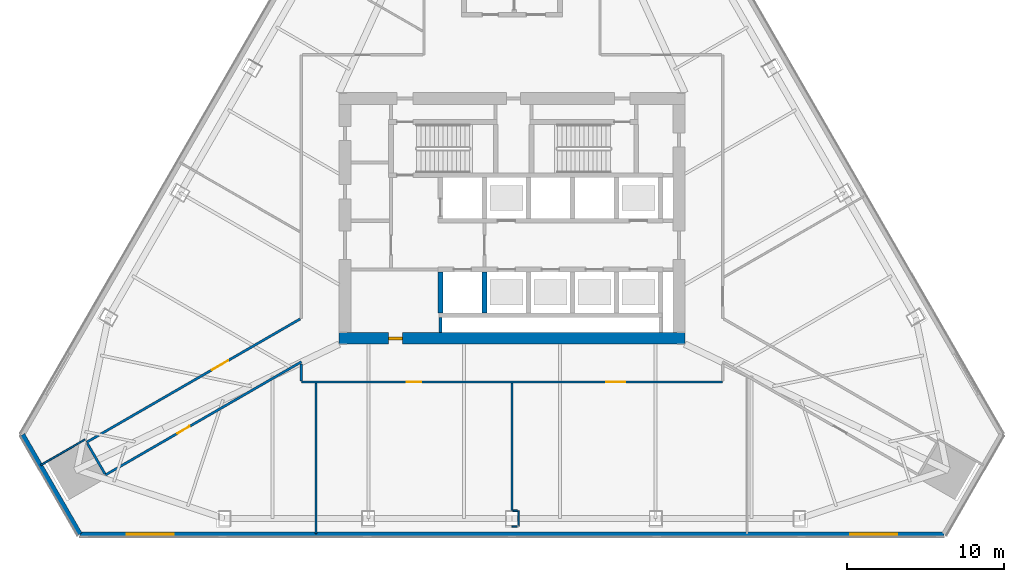
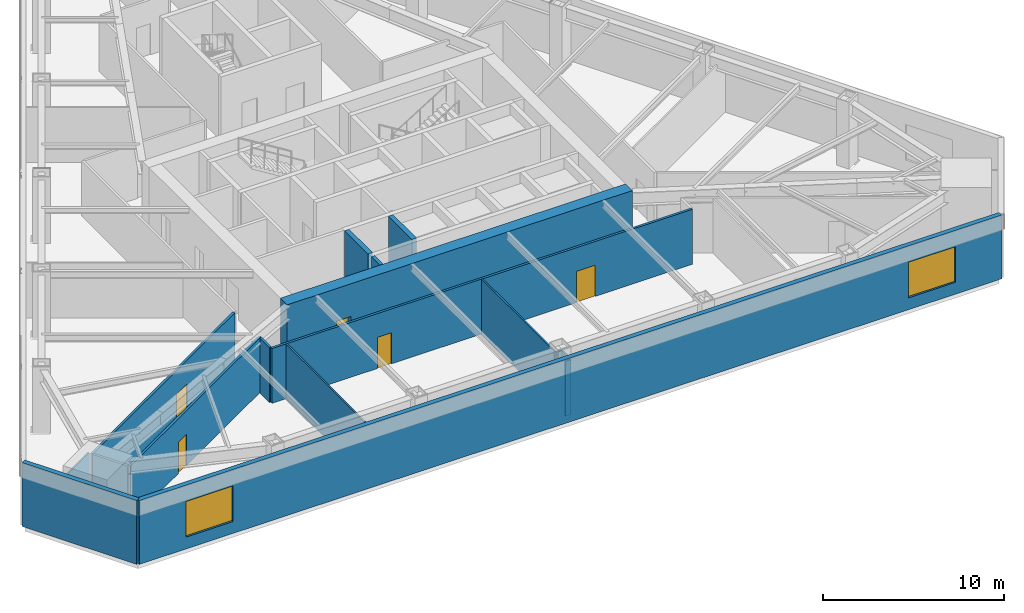
# One storey, part 5 of 14: 17 walls, 5 doors, 2 windows, 7 openings.
"""IFC4 building model written with IfcOpenShell, lengths in metres."""

from ifc_helpers import new_model, si_unit, direction, frame, frame_2d, origin, place, context, subcontext, project, spatial, rectangle, extrude, material, layer, layer_set, type_object, element, fill, save


model = new_model("IFC4")

# Units and contexts
model_context = context("Model", 3, precision=1e-05, world=origin(), true_north=direction((0.0, 1.0)))
body_context = subcontext(model_context, "Body", "Model", "MODEL_VIEW")
ifc_project = project(units=[si_unit("LENGTHUNIT", "METRE"), si_unit("AREAUNIT", "SQUARE_METRE"), si_unit("VOLUMEUNIT", "CUBIC_METRE"), si_unit("PLANEANGLEUNIT", "RADIAN"), si_unit("MASSUNIT", "GRAM", prefix="KILO")], contexts=[model_context])

# Site, building, storey
site_placement = place(None, origin())
site = spatial("IfcSite", under=ifc_project, at=site_placement, CompositionType="ELEMENT")
building_placement = place(site_placement, origin())
building = spatial("IfcBuilding", under=site, at=building_placement, Name="Firuza Gate Tower and Library", CompositionType="ELEMENT")
storey_placement = place(building_placement, frame((0.0, 0.0, 151.300048828125)))
storey = spatial("IfcBuildingStorey", under=building, at=storey_placement, Name="L34", CompositionType="ELEMENT", Elevation=151.300048828125)

# Walls
ifc_material_1 = material(Name="Plasterboard on steel studs", Category="steel")
ifc_layer_1 = layer(ifc_material_1, 0.199951171875)
ifc_layer_set_1 = layer_set([ifc_layer_1], Name="Core partition 200 EI 120")
wall_type_1 = type_object("IfcWallType", Name="Core partition 200 EI 120", PredefinedType="PARTITIONING", material=ifc_layer_set_1)
wall_1_placement = place(storey_placement, frame((70.449951171875, 67.75, 0.0), z_axis=(0.0, 0.0, 1.0), x_axis=(0.0, 1.0, 0.0)))
element("IfcWall", 1, at=wall_1_placement, inside=storey, type_object=wall_type_1, Name="Core partition L34 9", PredefinedType="PARTITIONING", context=body_context, shape_type="SweptSolid", body=[
    extrude(rectangle(XDim=0.949951171875, YDim=0.199951171875, at=frame_2d((0.47509765625, 0.0))), origin(), (0.0, 0.0, 1.0), 4.300048828125),
])
ifc_material_2 = material(Name="Concrete C80/95", Category="concrete")
ifc_layer_2 = layer(ifc_material_2, 0.300048828125)
ifc_layer_set_2 = layer_set([ifc_layer_2], Name="Core wall 300 C80/95")
wall_type_2 = type_object("IfcWallType", Name="Core wall 300 C80/95", PredefinedType="SHEAR", material=ifc_layer_set_2)
for number, where, z_axis, x_axis, name in (
    (2, (70.449951171875, 69.0, 0.0), (0.0, 0.0, 1.0), (0.0, 1.0, 0.0), "Core wall L34 8"),
    (3, (73.25, 69.0, 0.0), (0.0, 0.0, 1.0), (0.0, 1.0, 0.0), "Core wall L34 10"),
):
    element("IfcWall", number, at=place(storey_placement, frame(where, z_axis=z_axis, x_axis=x_axis)), inside=storey, type_object=wall_type_2, Name=name, PredefinedType="SHEAR", context=body_context, shape_type="SweptSolid", body=[
        extrude(rectangle(XDim=2.60009765625, YDim=0.300048828125, at=frame_2d((1.300048828125, 0.0))), origin(), (0.0, 0.0, 1.0), 4.300048828125),
    ])

# Wall, opening, door
ifc_material_3 = material(Name="Concrete C80/95", Category="concrete")
ifc_layer_3 = layer(ifc_material_3, 0.75)
ifc_layer_set_3 = layer_set([ifc_layer_3], Name="Core wall 750 C80/95")
wall_type_3 = type_object("IfcWallType", Name="Core wall 750 C80/95", PredefinedType="SHEAR", material=ifc_layer_set_3)
wall_2_placement = place(storey_placement, frame((64.0, 67.375, 0.0), z_axis=(0.0, 0.0, 1.0), x_axis=(1.0, 0.0, 0.0)))
wall_2 = element("IfcWall", 4, at=wall_2_placement, inside=storey, type_object=wall_type_3, Name="Core wall L34 1", PredefinedType="SHEAR", context=body_context, shape_type="SweptSolid", body=[
    extrude(rectangle(XDim=22.0, YDim=0.75, at=frame_2d((11.0, 0.0))), origin(), (0.0, 0.0, 1.0), 4.300048828125),
])
opening_1_placement = place(wall_2_placement, frame((3.14990234375, 0.0, 0.0)))
opening_1 = element("IfcOpeningElement", 5, at=opening_1_placement, cuts=wall_2, Name="Opening L34-K22", PredefinedType="OPENING", context=body_context, shape_type="SweptSolid", body=[
    extrude(rectangle(XDim=0.89990234375, YDim=2.10009765625, at=frame_2d((0.449951171875, 1.050048828125))), frame((0.0, 0.385009765625, 0.0), z_axis=(0.0, -1.0, 0.0), x_axis=(1.0, 0.0, 0.0)), (0.0, 0.0, 1.0), 0.77001953125),
])
ifc_material_4 = material(Name="Steel", Category="steel")
door_type_1 = type_object("IfcDoorType", Name="Fire door 900x2100 FD30S", OperationType="NOTDEFINED", PredefinedType="DOOR", material=ifc_material_4)
door_1_placement = place(opening_1_placement, origin())
door_1 = element("IfcDoor", 6, at=door_1_placement, inside=storey, type_object=door_type_1, Name="Door L34-K22", OperationType="SINGLE_SWING_LEFT", OverallHeight=2.10009765625, OverallWidth=0.89990234375, PredefinedType="DOOR", context=body_context, shape_type="SweptSolid", body=[
    extrude(rectangle(XDim=0.89990234375, YDim=2.10009765625, at=frame_2d((0.449951171875, 1.050048828125))), frame((0.0, 0.094970703125, 0.0), z_axis=(0.0, -1.0, 0.0), x_axis=(1.0, 0.0, 0.0)), (0.0, 0.0, 1.0), 0.18994140625),
])
fill(opening_1, door_1)

# Wall, openings, doors
ifc_material_5 = material(Name="Gypsum board partition")
ifc_layer_4 = layer(ifc_material_5, 0.14990234375)
ifc_layer_set_4 = layer_set([ifc_layer_4], Name="Corridor wall 150 double board on steel studs")
wall_type_4 = type_object("IfcWallType", Name="Corridor wall 150 double board on steel studs", PredefinedType="PARTITIONING", material=ifc_layer_set_4)
wall_3_placement = place(storey_placement, frame((88.3994140625, 64.60009765625, 0.0), z_axis=(0.0, 0.0, 1.0), x_axis=(-1.0, 0.0, 0.0)))
wall_3 = element("IfcWall", 7, at=wall_3_placement, inside=storey, type_object=wall_type_4, Name="f:L34:w002", PredefinedType="PARTITIONING", context=body_context, shape_type="SweptSolid", body=[
    extrude(rectangle(XDim=26.798828125, YDim=0.14990234375, at=frame_2d((13.3994140625, 0.0))), origin(), (0.0, 0.0, 1.0), 3.699951171875),
])
opening_2_placement = place(wall_3_placement, frame((6.201171875, 0.0, 0.0)))
opening_2 = element("IfcOpeningElement", 8, at=opening_2_placement, cuts=wall_3, Name="Opening L34-01", PredefinedType="OPENING", context=body_context, shape_type="SweptSolid", body=[
    extrude(rectangle(XDim=1.199951171875, YDim=2.10009765625, at=frame_2d((0.60009765625, 1.050048828125))), frame((0.0, 0.0849609375, 0.0), z_axis=(0.0, -1.0, 0.0), x_axis=(1.0, 0.0, 0.0)), (0.0, 0.0, 1.0), 0.169921875),
])
opening_3_placement = place(wall_3_placement, frame((19.182373046875, 0.0, 0.0)))
opening_3 = element("IfcOpeningElement", 9, at=opening_3_placement, cuts=wall_3, Name="Opening L34-02", PredefinedType="OPENING", context=body_context, shape_type="SweptSolid", body=[
    extrude(rectangle(XDim=0.89990234375, YDim=2.10009765625, at=frame_2d((0.449951171875, 1.050048828125))), frame((0.0, 0.0849609375, 0.0), z_axis=(0.0, -1.0, 0.0), x_axis=(1.0, 0.0, 0.0)), (0.0, 0.0, 1.0), 0.169921875),
])
ifc_material_6 = material(Name="Steel door and timber leaf", Category="steel")
door_type_2 = type_object("IfcDoorType", Name="Fire door 1200 x 2100 steel frame, double leaf", OperationType="NOTDEFINED", PredefinedType="DOOR", material=ifc_material_6)
door_2_placement = place(opening_2_placement, origin())
door_2 = element("IfcDoor", 10, at=door_2_placement, inside=storey, type_object=door_type_2, Name="f:L34:d001", OperationType="DOUBLE_DOOR_SINGLE_SWING", OverallHeight=2.10009765625, OverallWidth=1.199951171875, PredefinedType="DOOR", context=body_context, shape_type="SweptSolid", body=[
    extrude(rectangle(XDim=1.199951171875, YDim=2.10009765625, at=frame_2d((0.60009765625, 1.050048828125))), frame((0.0, 0.02490234375, 0.0), z_axis=(0.0, -1.0, 0.0), x_axis=(1.0, 0.0, 0.0)), (0.0, 0.0, 1.0), 0.050048828125),
])
fill(opening_2, door_2)
ifc_material_7 = material(Name="Steel door and timber leaf", Category="steel")
door_type_3 = type_object("IfcDoorType", Name="Fire door 900 x 2100 steel frame, timber leaf", OperationType="NOTDEFINED", PredefinedType="DOOR", material=ifc_material_7)
door_3_placement = place(opening_3_placement, origin())
door_3 = element("IfcDoor", 11, at=door_3_placement, inside=storey, type_object=door_type_3, Name="f:L34:d002", OperationType="SINGLE_SWING_LEFT", OverallHeight=2.10009765625, OverallWidth=0.89990234375, PredefinedType="DOOR", context=body_context, shape_type="SweptSolid", body=[
    extrude(rectangle(XDim=0.89990234375, YDim=2.10009765625, at=frame_2d((0.449951171875, 1.050048828125))), frame((0.0, 0.02490234375, 0.0), z_axis=(0.0, -1.0, 0.0), x_axis=(1.0, 0.0, 0.0)), (0.0, 0.0, 1.0), 0.050048828125),
])
fill(opening_3, door_3)

# Wall, opening, door
wall_4_placement = place(storey_placement, frame((61.599853515625, 65.8779296875, 0.0), z_axis=(0.0, 0.0, 1.0), x_axis=(-0.866021599452, -0.500006589238, 0.0)))
wall_4 = element("IfcWall", 12, at=wall_4_placement, inside=storey, type_object=wall_type_4, Name="f:L34:w009", PredefinedType="PARTITIONING", context=body_context, shape_type="SweptSolid", body=[
    extrude(rectangle(XDim=14.379638671875, YDim=0.14990234375, at=frame_2d((7.18994140625, 0.0))), origin(), (0.0, 0.0, 1.0), 3.699951171875),
])
opening_4_placement = place(wall_4_placement, frame((8.199951171875, 0.0, 0.0)))
opening_4 = element("IfcOpeningElement", 13, at=opening_4_placement, cuts=wall_4, Name="Opening L34-07", PredefinedType="OPENING", context=body_context, shape_type="SweptSolid", body=[
    extrude(rectangle(XDim=0.89990234375, YDim=2.10009765625, at=frame_2d((0.449951171875, 1.050048828125))), frame((0.0, 0.0849609375, 0.0), z_axis=(0.0, -1.0, 0.0), x_axis=(1.0, 0.0, 0.0)), (0.0, 0.0, 1.0), 0.169921875),
])
door_4_placement = place(opening_4_placement, origin())
door_4 = element("IfcDoor", 14, at=door_4_placement, inside=storey, type_object=door_type_3, Name="f:L34:d007", OperationType="SINGLE_SWING_RIGHT", OverallHeight=2.10009765625, OverallWidth=0.89990234375, PredefinedType="DOOR", context=body_context, shape_type="SweptSolid", body=[
    extrude(rectangle(XDim=0.89990234375, YDim=2.10009765625, at=frame_2d((0.449951171875, 1.050048828125))), frame((0.0, 0.02490234375, 0.0), z_axis=(0.0, -1.0, 0.0), x_axis=(1.0, 0.0, 0.0)), (0.0, 0.0, 1.0), 0.050048828125),
])
fill(opening_4, door_4)

wall_5_placement = place(storey_placement, frame((47.9462890625, 60.766357421875, 0.0), z_axis=(0.0, 0.0, 1.0), x_axis=(0.866025857359, 0.499999214385, 0.0)))
wall_5 = element("IfcWall", 15, at=wall_5_placement, inside=storey, type_object=wall_type_4, Name="f:L34:w010", PredefinedType="PARTITIONING", context=body_context, shape_type="SweptSolid", body=[
    extrude(rectangle(XDim=15.67919921875, YDim=0.14990234375, at=frame_2d((7.839599609375, 0.0))), origin(), (0.0, 0.0, 1.0), 3.699951171875),
])
opening_5_placement = place(wall_5_placement, frame((9.199951171875, 0.0, 0.0)))
opening_5 = element("IfcOpeningElement", 16, at=opening_5_placement, cuts=wall_5, Name="Opening L34-08", PredefinedType="OPENING", context=body_context, shape_type="SweptSolid", body=[
    extrude(rectangle(XDim=1.199951171875, YDim=2.10009765625, at=frame_2d((0.60009765625, 1.050048828125))), frame((0.0, 0.0849609375, 0.0), z_axis=(0.0, -1.0, 0.0), x_axis=(1.0, 0.0, 0.0)), (0.0, 0.0, 1.0), 0.169921875),
])
door_5_placement = place(opening_5_placement, origin())
door_5 = element("IfcDoor", 17, at=door_5_placement, inside=storey, type_object=door_type_2, Name="f:L34:d008", OperationType="DOUBLE_DOOR_SINGLE_SWING", OverallHeight=2.10009765625, OverallWidth=1.199951171875, PredefinedType="DOOR", context=body_context, shape_type="SweptSolid", body=[
    extrude(rectangle(XDim=1.199951171875, YDim=2.10009765625, at=frame_2d((0.60009765625, 1.050048828125))), frame((0.0, 0.02490234375, 0.0), z_axis=(0.0, -1.0, 0.0), x_axis=(1.0, 0.0, 0.0)), (0.0, 0.0, 1.0), 0.050048828125),
])
fill(opening_5, door_5)

# Walls
wall_6_placement = place(storey_placement, frame((61.60009765625, 64.675537109375, 0.0), z_axis=(0.0, 0.0, 1.0), x_axis=(0.0, 1.0, 0.0)))
element("IfcWall", 18, at=wall_6_placement, inside=storey, type_object=wall_type_4, Name="f:L34:w025", PredefinedType="PARTITIONING", context=body_context, shape_type="SweptSolid", body=[
    extrude(rectangle(XDim=1.065673828125, YDim=0.14990234375, at=frame_2d((0.53271484375, 0.0))), origin(), (0.0, 0.0, 1.0), 3.699951171875),
])
wall_7_placement = place(storey_placement, frame((49.108642578125, 58.753173828125, 0.0), z_axis=(0.0, 0.0, 1.0), x_axis=(-0.49994221372, 0.866058764138, 0.0)))
element("IfcWall", 19, at=wall_7_placement, inside=storey, type_object=wall_type_4, Name="f:L34:w027", PredefinedType="PARTITIONING", context=body_context, shape_type="SweptSolid", body=[
    extrude(rectangle(XDim=2.243896484375, YDim=0.14990234375, at=frame_2d((1.1220703125, 0.0))), origin(), (0.0, 0.0, 1.0), 3.699951171875),
])
ifc_material_8 = material(Name="Gypsum board partition")
ifc_layer_5 = layer(ifc_material_8, 0.10009765625)
ifc_layer_set_5 = layer_set([ifc_layer_5], Name="Partition 100 gypsum board on steel studs")
wall_type_5 = type_object("IfcWallType", Name="Partition 100 gypsum board on steel studs", PredefinedType="PARTITIONING", material=ifc_layer_set_5)
wall_8_placement = place(storey_placement, frame((75.0, 55.408935546875, 0.0), z_axis=(0.0, 0.0, 1.0), x_axis=(1.0, 0.0, 0.0)))
element("IfcWall", 20, at=wall_8_placement, inside=storey, type_object=wall_type_5, Name="f:L34:w000", PredefinedType="PARTITIONING", context=body_context, shape_type="SweptSolid", body=[
    extrude(rectangle(XDim=0.349609375, YDim=0.10009765625, at=frame_2d((0.1748046875, 0.0))), origin(), (0.0, 0.0, 1.0), 3.699951171875),
])
wall_9_placement = place(storey_placement, frame((75.050048828125, 56.408935546875, 0.0), z_axis=(0.0, 0.0, 1.0), x_axis=(1.0, 0.0, 0.0)))
element("IfcWall", 21, at=wall_9_placement, inside=storey, type_object=wall_type_5, Name="f:L34:w001", PredefinedType="PARTITIONING", context=body_context, shape_type="SweptSolid", body=[
    extrude(rectangle(XDim=0.299560546875, YDim=0.10009765625, at=frame_2d((0.14990234375, 0.0))), origin(), (0.0, 0.0, 1.0), 3.699951171875),
])
wall_10_placement = place(storey_placement, frame((45.02294921875, 59.3095703125, 0.0), z_axis=(0.0, 0.0, 1.0), x_axis=(0.866035906198, 0.499981808845, 0.0)))
element("IfcWall", 22, at=wall_10_placement, inside=storey, type_object=wall_type_5, Name="f:L34:w011", PredefinedType="PARTITIONING", context=body_context, shape_type="SweptSolid", body=[
    extrude(rectangle(XDim=3.25927734375, YDim=0.10009765625, at=frame_2d((1.629638671875, 0.0))), origin(), (0.0, 0.0, 1.0), 3.699951171875),
])
wall_11_placement = place(storey_placement, frame((75.39990234375, 55.40966796875, 0.0), z_axis=(0.0, 0.0, 1.0), x_axis=(0.0, 1.0, 0.0)))
element("IfcWall", 23, at=wall_11_placement, inside=storey, type_object=wall_type_5, Name="f:L34:w020", PredefinedType="PARTITIONING", context=body_context, shape_type="SweptSolid", body=[
    extrude(rectangle(XDim=0.9990234375, YDim=0.10009765625, at=frame_2d((0.49951171875, 0.0))), origin(), (0.0, 0.0, 1.0), 3.699951171875),
])
wall_12_placement = place(storey_placement, frame((75.0, 56.4091796875, 0.0), z_axis=(0.0, 0.0, 1.0), x_axis=(0.0, 1.0, 0.0)))
element("IfcWall", 24, at=wall_12_placement, inside=storey, type_object=wall_type_5, Name="f:L34:w021", PredefinedType="PARTITIONING", context=body_context, shape_type="SweptSolid", body=[
    extrude(rectangle(XDim=8.11572265625, YDim=0.10009765625, at=frame_2d((4.057861328125, 0.0))), origin(), (0.0, 0.0, 1.0), 3.699951171875),
])
wall_13_placement = place(storey_placement, frame((62.533935546875, 54.94921875, 0.0), z_axis=(0.0, 0.0, 1.0), x_axis=(0.0, 1.0, 0.0)))
element("IfcWall", 25, at=wall_13_placement, inside=storey, type_object=wall_type_5, Name="f:L34:w024", PredefinedType="PARTITIONING", context=body_context, shape_type="SweptSolid", body=[
    extrude(rectangle(XDim=9.57568359375, YDim=0.10009765625, at=frame_2d((4.787841796875, 0.0))), origin(), (0.0, 0.0, 1.0), 3.699951171875),
])

# Wall, openings, windows
ifc_material_9 = material(Name="Concrete C40/50", Category="concrete")
ifc_layer_6 = layer(ifc_material_9, 0.300048828125)
ifc_layer_set_6 = layer_set([ifc_layer_6], Name="Plant louvre wall 300")
wall_type_6 = type_object("IfcWallType", Name="Plant louvre wall 300", PredefinedType="SOLIDWALL", material=ifc_layer_set_6)
wall_14_placement = place(storey_placement, frame((47.52294921875, 54.919189453125, 0.0), z_axis=(0.0, 0.0, 1.0), x_axis=(1.0, 0.0, 0.0)))
wall_14 = element("IfcWall", 26, at=wall_14_placement, inside=storey, type_object=wall_type_6, Name="Plant louvre wall 1", PredefinedType="SOLIDWALL", context=body_context, shape_type="SweptSolid", body=[
    extrude(rectangle(XDim=54.9541015625, YDim=0.300048828125, at=frame_2d((27.47705078125, 0.0))), origin(), (0.0, 0.0, 1.0), 4.300048828125),
])
opening_6_placement = place(wall_14_placement, frame((2.960205078125, 0.0, 0.800048828125)))
opening_6 = element("IfcOpeningElement", 27, at=opening_6_placement, cuts=wall_14, Name="Opening WD3-001", PredefinedType="OPENING", context=body_context, shape_type="SweptSolid", body=[
    extrude(rectangle(XDim=3.0, YDim=2.39990234375, at=frame_2d((1.5, 1.199951171875))), frame((0.0, 0.16015625, 0.0), z_axis=(0.0, -1.0, 0.0), x_axis=(1.0, 0.0, 0.0)), (0.0, 0.0, 1.0), 0.320068359375),
])
opening_7_placement = place(wall_14_placement, frame((48.993896484375, 0.0, 0.800048828125)))
opening_7 = element("IfcOpeningElement", 28, at=opening_7_placement, cuts=wall_14, Name="Opening WD3-002", PredefinedType="OPENING", context=body_context, shape_type="SweptSolid", body=[
    extrude(rectangle(XDim=3.0, YDim=2.39990234375, at=frame_2d((1.5, 1.199951171875))), frame((0.0, 0.16015625, 0.0), z_axis=(0.0, -1.0, 0.0), x_axis=(1.0, 0.0, 0.0)), (0.0, 0.0, 1.0), 0.320068359375),
])
ifc_material_10 = material(Name="Aluminium 6063-T6", Category="aluminium")
window_type = type_object("IfcWindowType", Name="Plant louvre 3000x2400", PartitioningType="SINGLE_PANEL", PredefinedType="WINDOW", material=ifc_material_10)
window_1_placement = place(opening_6_placement, origin())
window_1 = element("IfcWindow", 29, at=window_1_placement, inside=storey, type_object=window_type, Name="e:pwall:L34:0/L0", OverallHeight=2.39990234375, OverallWidth=3.0, PartitioningType="SINGLE_PANEL", PredefinedType="WINDOW", context=body_context, shape_type="SweptSolid", body=[
    extrude(rectangle(XDim=3.0, YDim=2.39990234375, at=frame_2d((1.5, 1.199951171875))), frame((0.0, 0.030029296875, 0.0), z_axis=(0.0, -1.0, 0.0), x_axis=(1.0, 0.0, 0.0)), (0.0, 0.0, 1.0), 0.06005859375),
])
fill(opening_6, window_1)
window_2_placement = place(opening_7_placement, origin())
window_2 = element("IfcWindow", 30, at=window_2_placement, inside=storey, type_object=window_type, Name="e:pwall:L34:0/L1", OverallHeight=2.39990234375, OverallWidth=3.0, PartitioningType="SINGLE_PANEL", PredefinedType="WINDOW", context=body_context, shape_type="SweptSolid", body=[
    extrude(rectangle(XDim=3.0, YDim=2.39990234375, at=frame_2d((1.5, 1.199951171875))), frame((0.0, 0.030029296875, 0.0), z_axis=(0.0, -1.0, 0.0), x_axis=(1.0, 0.0, 0.0)), (0.0, 0.0, 1.0), 0.06005859375),
])
fill(opening_7, window_2)

# Wall
wall_15_placement = place(storey_placement, frame((43.87109375, 61.24462890625, 0.0), z_axis=(0.0, 0.0, 1.0), x_axis=(0.499985757347, -0.866033626628, 0.0)))
element("IfcWall", 31, at=wall_15_placement, inside=storey, type_object=wall_type_6, Name="Plant louvre wall 6", PredefinedType="SOLIDWALL", context=body_context, shape_type="SweptSolid", body=[
    extrude(rectangle(XDim=7.303955078125, YDim=0.300048828125, at=frame_2d((3.65185546875, 0.0))), origin(), (0.0, 0.0, 1.0), 4.300048828125),
])

save(model, "model.ifc")
